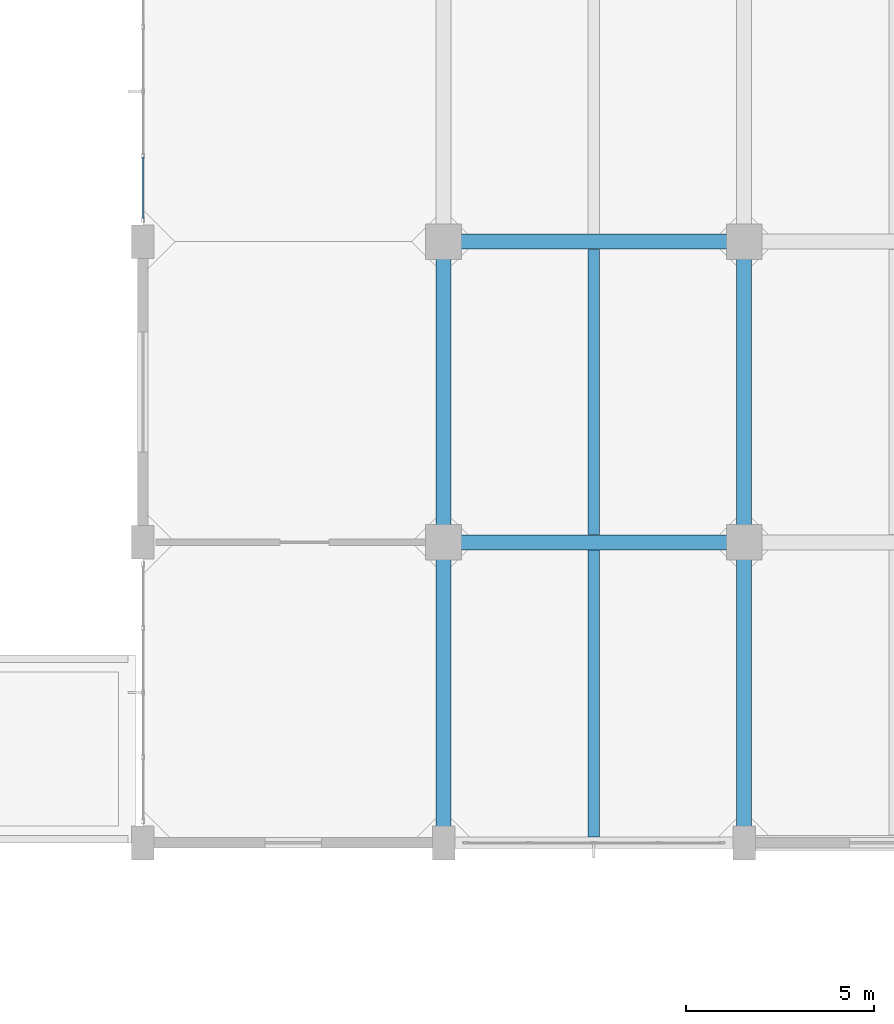
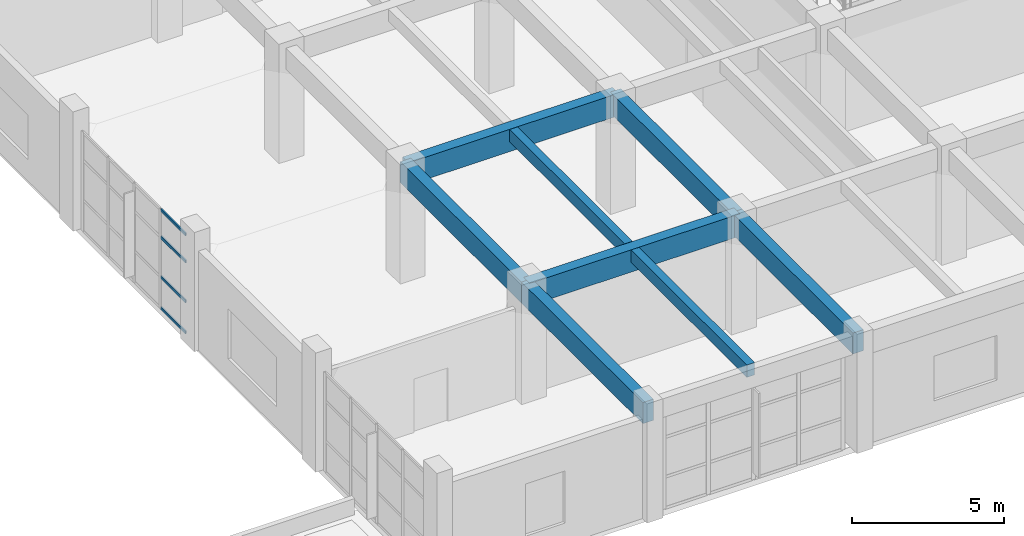
# One storey, part 14 of 63: 8 beams, 4 members, 1 element without a shape of its own.
"""IFC4 building model written with IfcOpenShell, lengths in metres."""

from ifc_helpers import new_model, si_unit, direction, frame, origin, origin_2d, place, context, subcontext, project, spatial, rectangle, hollow_rectangle, extrude, material, layer, layer_set, material_profile, profile_set, type_object, element, aggregate, save


model = new_model("IFC4")

# Units and contexts
model_context = context("Model", 3, precision=1e-05, world=origin(), true_north=direction((0.0, 1.0)))
body_context = subcontext(model_context, "Body", "Model", "MODEL_VIEW")
ifc_project = project(units=[si_unit("LENGTHUNIT", "METRE"), si_unit("AREAUNIT", "SQUARE_METRE"), si_unit("VOLUMEUNIT", "CUBIC_METRE"), si_unit("PLANEANGLEUNIT", "RADIAN"), si_unit("MASSUNIT", "GRAM", prefix="KILO")], contexts=[model_context])

# Site, building, storey
site_placement = place(None, origin())
site = spatial("IfcSite", under=ifc_project, at=site_placement, CompositionType="ELEMENT")
building_placement = place(site_placement, origin())
building = spatial("IfcBuilding", under=site, at=building_placement, Name="Canggui Botanical Conservatory", CompositionType="ELEMENT")
storey_placement = place(building_placement, frame((0.0, 0.0, 10.199951171875)))
storey = spatial("IfcBuildingStorey", under=building, at=storey_placement, Name="L03", CompositionType="ELEMENT", Elevation=10.199951171875)

# Beams
ifc_material_1 = material(Name="Concrete C35", Category="concrete")
ifc_material_profile_1 = material_profile(ifc_material_1, rectangle(XDim=0.300048828125, YDim=0.5, at=origin_2d()), Name="RB 300x500")
ifc_profile_set_1 = profile_set([ifc_material_profile_1], Name="Concrete C35")
beam_type_1 = type_object("IfcBeamType", Name="BM-JST02", PredefinedType="JOIST", material=ifc_profile_set_1)
beam_1_placement = place(storey_placement, frame((142.0, 26.155029296875, 4.300048828125), z_axis=(0.0, 1.0, 0.0), x_axis=(-1.0, 0.0, 0.0)))
element("IfcBeam", 1, at=beam_1_placement, inside=storey, type_object=beam_type_1, Name="Secondary Floor Joist L03-1-1", PredefinedType="JOIST", context=body_context, shape_type="SweptSolid", body=[
    extrude(rectangle(XDim=0.300048828125, YDim=0.5, at=origin_2d()), origin(), (0.0, 0.0, 1.0), 7.639892578125),
])
beam_2_placement = place(storey_placement, frame((142.0, 34.205078125, 4.300048828125), z_axis=(0.0, 1.0, 0.0), x_axis=(-1.0, 0.0, 0.0)))
element("IfcBeam", 2, at=beam_2_placement, inside=storey, type_object=beam_type_1, Name="Secondary Floor Joist L03-1-2", PredefinedType="JOIST", context=body_context, shape_type="SweptSolid", body=[
    extrude(rectangle(XDim=0.300048828125, YDim=0.5, at=origin_2d()), origin(), (0.0, 0.0, 1.0), 7.58984375),
])
ifc_material_profile_2 = material_profile(ifc_material_1, rectangle(XDim=0.39990234375, YDim=0.89990234375, at=origin_2d()), Name="RB 400x900")
ifc_profile_set_2 = profile_set([ifc_material_profile_2], Name="Concrete C35")
beam_type_2 = type_object("IfcBeamType", Name="BM-KL07", PredefinedType="BEAM", material=ifc_profile_set_2)
for number, where, z_axis, x_axis, name in (
    (3, (138.0, 34.0, 4.10009765625), (1.0, 0.0, 0.0), (0.0, 1.0, 0.0), "Frame Girder L03 Y34-1"),
    (4, (138.0, 42.0, 4.10009765625), (1.0, 0.0, 0.0), (0.0, 1.0, 0.0), "Frame Girder L03 Y42-1"),
):
    element("IfcBeam", number, at=place(storey_placement, frame(where, z_axis=z_axis, x_axis=x_axis)), inside=storey, type_object=beam_type_2, Name=name, PredefinedType="BEAM", context=body_context, shape_type="SweptSolid", body=[
        extrude(rectangle(XDim=0.39990234375, YDim=0.89990234375, at=origin_2d()), origin(), (0.0, 0.0, 1.0), 8.0),
    ])
ifc_material_profile_3 = material_profile(ifc_material_1, rectangle(XDim=0.39990234375, YDim=0.85009765625, at=origin_2d()), Name="RB 400x850")
ifc_profile_set_3 = profile_set([ifc_material_profile_3], Name="Concrete C35")
beam_type_3 = type_object("IfcBeamType", Name="BM-KL08", PredefinedType="BEAM", material=ifc_profile_set_3)
for number, where, z_axis, x_axis, name in (
    (5, (138.0, 26.0, 4.125), (0.0, 1.0, 0.0), (-1.0, 0.0, 0.0), "Frame Girder L03 X138-1"),
    (6, (138.0, 34.0, 4.125), (0.0, 1.0, 0.0), (-1.0, 0.0, 0.0), "Frame Girder L03 X138-2"),
    (7, (146.0, 26.0, 4.125), (0.0, 1.0, 0.0), (-1.0, 0.0, 0.0), "Frame Girder L03 X146-1"),
    (8, (146.0, 34.0, 4.125), (0.0, 1.0, 0.0), (-1.0, 0.0, 0.0), "Frame Girder L03 X146-2"),
):
    element("IfcBeam", number, at=place(storey_placement, frame(where, z_axis=z_axis, x_axis=x_axis)), inside=storey, type_object=beam_type_3, Name=name, PredefinedType="BEAM", context=body_context, shape_type="SweptSolid", body=[
        extrude(rectangle(XDim=0.39990234375, YDim=0.85009765625, at=origin_2d()), origin(), (0.0, 0.0, 1.0), 8.0),
    ])

# Curtain wall, members
ifc_material_2 = material(Name="Thermally Broken Aluminium", Category="aluminium")
ifc_layer = layer(ifc_material_2, 0.14990234375, Name="Thermally Broken Aluminium", Category="aluminium")
ifc_layer_set = layer_set([ifc_layer], Name="Thermally Broken Aluminium")
curtain_wall_type = type_object("IfcCurtainWallType", Name="CW-UNIT-C", PredefinedType="USERDEFINED", material=ifc_layer_set)
curtain_wall_placement = place(storey_placement, origin())
curtain_wall = element("IfcCurtainWall", 9, at=curtain_wall_placement, inside=storey, type_object=curtain_wall_type, Name="Facade Curtain Wall CW-TWR-L03-09", ObjectType="UNITISED CURTAIN WALL", PredefinedType="USERDEFINED")
ifc_material_profile_4 = material_profile(ifc_material_2, hollow_rectangle(XDim=0.054931640625, YDim=0.110107421875, WallThickness=0.0029296875, at=origin_2d()), Name="CWT 55x110x3")
ifc_profile_set_4 = profile_set([ifc_material_profile_4], Name="Thermally Broken Aluminium")
member_type = type_object("IfcMemberType", Name="CWT-03", PredefinedType="USERDEFINED", material=ifc_profile_set_4)
member_1_placement = place(storey_placement, frame((130.0, 42.6201171875, 0.027587890625), z_axis=(0.0, 1.0, 0.0), x_axis=(-1.0, 0.0, 0.0)))
member_1 = element("IfcMember", 10, at=member_1_placement, type_object=member_type, Name="CW-03 transom 1.1", ObjectType="TRANSOM", PredefinedType="USERDEFINED", context=body_context, shape_type="SweptSolid", body=[
    extrude(hollow_rectangle(XDim=0.054931640625, YDim=0.110107421875, WallThickness=0.0029296875, at=origin_2d()), origin(), (0.0, 0.0, 1.0), 1.6298828125),
])
member_2_placement = place(storey_placement, frame((130.0, 42.6201171875, 1.280029296875), z_axis=(0.0, 1.0, 0.0), x_axis=(-1.0, 0.0, 0.0)))
member_2 = element("IfcMember", 11, at=member_2_placement, type_object=member_type, Name="CW-03 transom 1.2", ObjectType="TRANSOM", PredefinedType="USERDEFINED", context=body_context, shape_type="SweptSolid", body=[
    extrude(hollow_rectangle(XDim=0.054931640625, YDim=0.110107421875, WallThickness=0.0029296875, at=origin_2d()), origin(), (0.0, 0.0, 1.0), 1.6298828125),
])
member_3_placement = place(storey_placement, frame((130.0, 42.6201171875, 2.880126953125), z_axis=(0.0, 1.0, 0.0), x_axis=(-1.0, 0.0, 0.0)))
member_3 = element("IfcMember", 12, at=member_3_placement, type_object=member_type, Name="CW-03 transom 1.3", ObjectType="TRANSOM", PredefinedType="USERDEFINED", context=body_context, shape_type="SweptSolid", body=[
    extrude(hollow_rectangle(XDim=0.054931640625, YDim=0.110107421875, WallThickness=0.0029296875, at=origin_2d()), origin(), (0.0, 0.0, 1.0), 1.6298828125),
])
member_4_placement = place(storey_placement, frame((130.0, 42.6201171875, 3.97265625), z_axis=(0.0, 1.0, 0.0), x_axis=(-1.0, 0.0, 0.0)))
member_4 = element("IfcMember", 13, at=member_4_placement, type_object=member_type, Name="CW-03 transom 1.4", ObjectType="TRANSOM", PredefinedType="USERDEFINED", context=body_context, shape_type="SweptSolid", body=[
    extrude(hollow_rectangle(XDim=0.054931640625, YDim=0.110107421875, WallThickness=0.0029296875, at=origin_2d()), origin(), (0.0, 0.0, 1.0), 1.6298828125),
])
aggregate(curtain_wall, [member_1, member_2, member_3, member_4])

save(model, "model.ifc")
